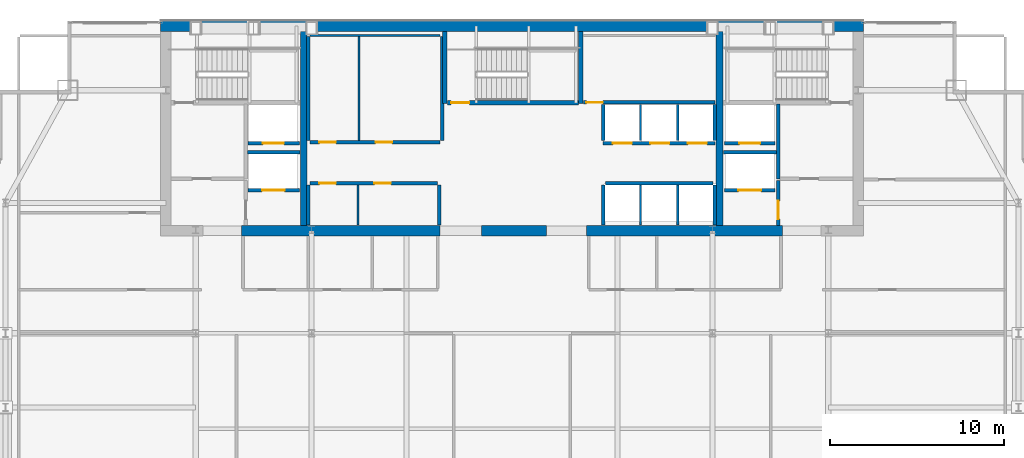
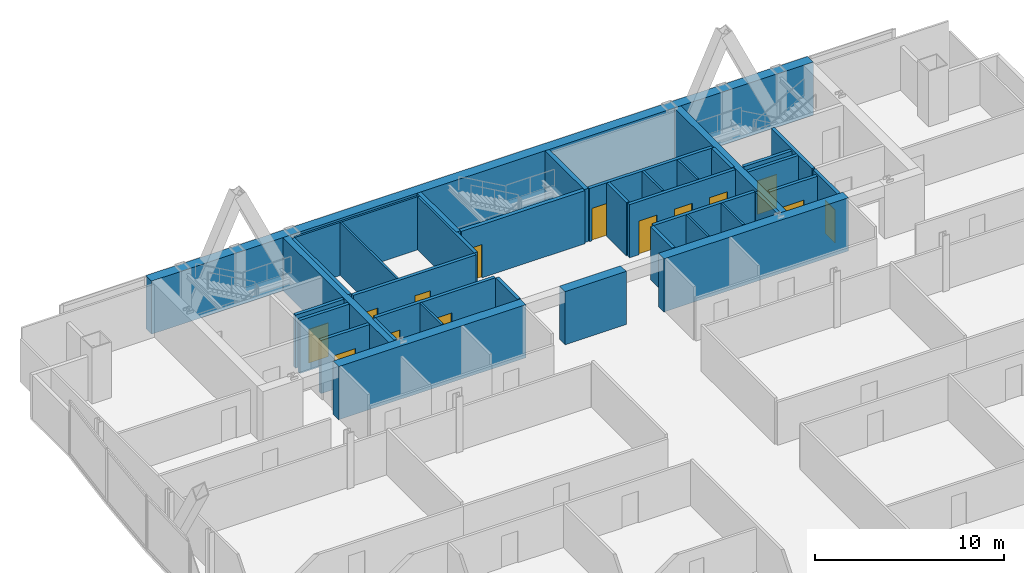
# One storey, part 29 of 32: 37 walls, 14 doors, 14 openings.
"""IFC4 building model written with IfcOpenShell, lengths in metres."""

import ifcopenshell
import ifcopenshell.guid

model = None  # the IFC model being written
_history = None  # IfcOwnerHistory: only IFC2X3 demands one
_inside = {}  # id of a spatial element -> (the spatial element, [elements in it])
_under = {}  # id of a project, library or spatial element -> (it, [spatial elements below it])
_declared = {}  # id of a project -> (the project, [libraries it declares])
_typed = {}  # id of a type object -> (the type object, [elements of that type])
_made_of = {}  # id of a material, layer set ... -> (it, [elements and type objects made of it])


def new_model(schema):
    """Start an empty IFC model of exactly this schema.

    Asked for "IFC4X3", IfcOpenShell would pick the latest addendum, in which some entities
    have other attributes; the version numbers below select the first issue.
    IFC2X3 requires an IfcOwnerHistory on every rooted entity: one is made here for all.
    """
    global model, _history
    if schema == "IFC4X3":
        model = ifcopenshell.file(schema_version=(4, 3, 0, 0))
    else:
        model = ifcopenshell.file(schema=schema)
    _inside.clear()
    _under.clear()
    _declared.clear()
    _typed.clear()
    _made_of.clear()
    _history = None
    if model.schema == "IFC2X3":
        org = make("IfcOrganization", Name="unknown")
        user = make(
            "IfcPersonAndOrganization",
            ThePerson=make("IfcPerson", FamilyName="unknown"),
            TheOrganization=org,
        )
        app = make(
            "IfcApplication",
            ApplicationDeveloper=org,
            Version="unknown",
            ApplicationFullName="unknown",
            ApplicationIdentifier="unknown",
        )
        _history = make(
            "IfcOwnerHistory",
            OwningUser=user,
            OwningApplication=app,
            ChangeAction="ADDED",
            CreationDate=0,
        )
    return model


def make(cls, **values):
    """One entity of the class cls with the attributes given. An attribute that is None is left unset."""
    return model.create_entity(
        cls, **{name: value for name, value in values.items() if value is not None}
    )


def rooted(cls, **values):
    """An entity with a GlobalId (a new one), such as an element, a storey or a relation."""
    return make(cls, GlobalId=ifcopenshell.guid.new(), OwnerHistory=_history, **values)


def si_unit(unit_type, name, prefix=None):
    """IfcSIUnit, for example si_unit("LENGTHUNIT", "METRE", prefix="MILLI")."""
    return make("IfcSIUnit", UnitType=unit_type, Prefix=prefix, Name=name)


def assignment(units):
    """IfcUnitAssignment: the units of a project."""
    return None if units is None else make("IfcUnitAssignment", Units=units)


def point(xyz):
    """IfcCartesianPoint."""
    return None if xyz is None else make("IfcCartesianPoint", Coordinates=xyz)


def direction(xyz):
    """IfcDirection."""
    return None if xyz is None else make("IfcDirection", DirectionRatios=xyz)


def frame(location, z_axis=None, x_axis=None):
    """IfcAxis2Placement3D, a coordinate frame: its origin and axes. An axis left out is left unset."""
    return make(
        "IfcAxis2Placement3D",
        Location=point(location),
        Axis=direction(z_axis),
        RefDirection=direction(x_axis),
    )


def frame_2d(location, x_axis=None):
    """IfcAxis2Placement2D, a coordinate frame in the plane: its origin and x axis."""
    return make(
        "IfcAxis2Placement2D", Location=point(location), RefDirection=direction(x_axis)
    )


def origin():
    """The frame at (0, 0, 0) with its axes left unset."""
    return frame((0.0, 0.0, 0.0))


def place(relative_to, where):
    """IfcLocalPlacement: puts the frame where relative to a parent placement (None: the world)."""
    return make(
        "IfcLocalPlacement", PlacementRelTo=relative_to, RelativePlacement=where
    )


def context(
    kind, dimensions, precision=None, world=None, true_north=None, identifier=None
):
    """IfcGeometricRepresentationContext, for example the 3D "Model" context."""
    return make(
        "IfcGeometricRepresentationContext",
        ContextIdentifier=identifier,
        ContextType=kind,
        CoordinateSpaceDimension=dimensions,
        Precision=precision,
        WorldCoordinateSystem=world,
        TrueNorth=true_north,
    )


def subcontext(parent, identifier, kind, view, scale=None):
    """IfcGeometricRepresentationSubContext, for example "Body" below "Model"."""
    return make(
        "IfcGeometricRepresentationSubContext",
        ContextIdentifier=identifier,
        ContextType=kind,
        ParentContext=parent,
        TargetScale=scale,
        TargetView=view,
    )


def project(units=None, contexts=None):
    """IfcProject with its units and contexts."""
    return rooted(
        "IfcProject",
        Name="project",
        RepresentationContexts=contexts,
        UnitsInContext=assignment(units),
    )


def spatial(cls, under=None, at=None, **own):
    """A site, building, storey or space (cls), placed at a placement, below another one or the project."""
    s = rooted(cls, ObjectPlacement=at, **own)
    if under is not None:
        _under.setdefault(under.id(), (under, []))[1].append(s)
    return s


def profile(cls, at=None, kind="AREA", **sizes):
    """A parametric profile (cls). Its sizes go by their IFC names, for example OverallWidth=200.0."""
    return make(cls, ProfileType=kind, Position=at, **sizes)


def rectangle(**sizes):
    """IfcRectangleProfileDef."""
    return profile("IfcRectangleProfileDef", **sizes)


def extrude(swept, where, along, depth):
    """IfcExtrudedAreaSolid: the profile swept, set in the frame where, extruded along a direction by depth."""
    return make(
        "IfcExtrudedAreaSolid",
        SweptArea=swept,
        Position=where,
        ExtrudedDirection=direction(along),
        Depth=depth,
    )


def shape(context_of_items, identifier, shape_type, items):
    """IfcShapeRepresentation: the items that make up one representation, for example the "Body"."""
    return make(
        "IfcShapeRepresentation",
        ContextOfItems=context_of_items,
        RepresentationIdentifier=identifier,
        RepresentationType=shape_type,
        Items=items,
    )


def material(Name=None, Category=None):
    """IfcMaterial."""
    return make("IfcMaterial", Name=Name, Category=Category)


def layer(
    of_material, thickness, ventilated=None, Name=None, Category=None, Priority=None
):
    """IfcMaterialLayer: one layer of a wall or slab, of a material (None: an air gap)."""
    return make(
        "IfcMaterialLayer",
        Material=of_material,
        LayerThickness=thickness,
        IsVentilated=ventilated,
        Name=Name,
        Category=Category,
        Priority=Priority,
    )


def layer_set(layers, Name=None):
    """IfcMaterialLayerSet."""
    return make("IfcMaterialLayerSet", MaterialLayers=layers, LayerSetName=Name)


def made_of(thing, what):
    """Note that an element or type object is made of a material, layer set ...; save() writes the relation."""
    if what is not None:
        _made_of.setdefault(what.id(), (what, []))[1].append(thing)
    return thing


def type_object(cls, material=None, **own):
    """A type object (cls), such as IfcWallType, which elements share."""
    return made_of(rooted(cls, **own), material)


def element(
    cls,
    number,
    at=None,
    inside=None,
    cuts=None,
    type_object=None,
    material=None,
    context=None,
    identifier="Body",
    shape_type=None,
    held_by="IfcProductDefinitionShape",
    body=None,
    shapes=None,
    **own,
):
    """One element of the class cls, such as IfcWall. Its Tag is "e" and its number.

    at: its placement. inside: the storey or other place that contains it. cuts: it is an
    opening in that element (IfcRelVoidsElement). A single representation is given by context,
    identifier, shape_type and body (its items); several are given by shapes. held_by: the class
    of the entity that holds the representations. save() writes the other relations.
    """
    e = rooted(cls, Tag="e%d" % number, ObjectPlacement=at, **own)
    if body is not None:
        shapes = [shape(context, identifier, shape_type, body)]
    if shapes is not None:
        e.Representation = make(held_by, Representations=shapes)
    if inside is not None:
        _inside.setdefault(inside.id(), (inside, []))[1].append(e)
    if cuts is not None:
        rooted(
            "IfcRelVoidsElement", RelatingBuildingElement=cuts, RelatedOpeningElement=e
        )
    if type_object is not None:
        _typed.setdefault(type_object.id(), (type_object, []))[1].append(e)
    return made_of(e, material)


def fill(opening, filler):
    """IfcRelFillsElement: the door or window that sits in an opening."""
    return rooted(
        "IfcRelFillsElement",
        RelatingOpeningElement=opening,
        RelatedBuildingElement=filler,
    )


def aggregate(whole, parts):
    """IfcRelAggregates: a whole, such as a stair, and the parts it consists of."""
    return rooted("IfcRelAggregates", RelatingObject=whole, RelatedObjects=parts)


def save(model, path):
    """Write the relations noted so far, then the file.

    IfcRelAggregates (storeys below a building ...), IfcRelContainedInSpatialStructure (elements
    in a storey), IfcRelDefinesByType, IfcRelAssociatesMaterial and IfcRelDeclares: one each for
    every whole, place, type object, material and project.
    """
    for whole, parts in _under.values():
        aggregate(whole, parts)
    for where, things in _inside.values():
        rooted(
            "IfcRelContainedInSpatialStructure",
            RelatedElements=things,
            RelatingStructure=where,
        )
    for kind, things in _typed.values():
        rooted("IfcRelDefinesByType", RelatedObjects=things, RelatingType=kind)
    for what, things in _made_of.values():
        rooted("IfcRelAssociatesMaterial", RelatedObjects=things, RelatingMaterial=what)
    for by, libraries in _declared.values():
        rooted("IfcRelDeclares", RelatingContext=by, RelatedDefinitions=libraries)
    model.write(path)


model = new_model("IFC4")

# Units and contexts
model_context = context("Model", 3, precision=1e-05, world=origin(), true_north=direction((0.0, 1.0)))
body_context = subcontext(model_context, "Body", "Model", "MODEL_VIEW")
ifc_project = project(units=[si_unit("LENGTHUNIT", "METRE"), si_unit("AREAUNIT", "SQUARE_METRE"), si_unit("VOLUMEUNIT", "CUBIC_METRE"), si_unit("PLANEANGLEUNIT", "RADIAN"), si_unit("MASSUNIT", "GRAM", prefix="KILO")], contexts=[model_context])

# Site, building, storey
site_placement = place(None, origin())
site = spatial("IfcSite", under=ifc_project, at=site_placement, CompositionType="ELEMENT")
building_placement = place(site_placement, origin())
building = spatial("IfcBuilding", under=site, at=building_placement, Name="Khoronbel Lancet Exchange", CompositionType="ELEMENT")
storey_placement = place(building_placement, frame((0.0, 0.0, 231.800048828125)))
storey = spatial("IfcBuildingStorey", under=building, at=storey_placement, Name="L59", CompositionType="ELEMENT", Elevation=231.800048828125)

# Walls
ifc_material_1 = material(Name="Concrete C60/75", Category="concrete")
ifc_layer_1 = layer(ifc_material_1, 0.60009765625, Name="Concrete C60/75")
ifc_layer_set_1 = layer_set([ifc_layer_1], Name="Concrete C60/75")
wall_type_1 = type_object("IfcWallType", Name="WL-CW3", PredefinedType="SHEAR", material=ifc_layer_set_1)
wall_1_placement = place(storey_placement, frame((16.199951171875, 53.39990234375, 0.0), z_axis=(0.0, 0.0, 1.0), x_axis=(1.0, 0.0, 0.0)))
element("IfcWall", 1, at=wall_1_placement, inside=storey, type_object=wall_type_1, Name="Level L59 rear core north shear wall", PredefinedType="SHEAR", context=body_context, shape_type="SweptSolid", body=[
    extrude(rectangle(XDim=40.5, YDim=0.60009765625, at=frame_2d((20.25, 0.0))), origin(), (0.0, 0.0, 1.0), 3.43994140625),
])
wall_2_placement = place(storey_placement, frame((32.300048828125, 41.60009765625, 0.0), z_axis=(0.0, 0.0, 1.0), x_axis=(-1.0, 0.0, 0.0)))
element("IfcWall", 2, at=wall_2_placement, inside=storey, type_object=wall_type_1, Name="Level L59 rear core south shear wall pier P2", PredefinedType="SHEAR", context=body_context, shape_type="SweptSolid", body=[
    extrude(rectangle(XDim=11.449951171875, YDim=0.60009765625, at=frame_2d((5.72509765625, 0.0))), origin(), (0.0, 0.0, 1.0), 3.43994140625),
])
wall_3_placement = place(storey_placement, frame((38.449951171875, 41.60009765625, 0.0), z_axis=(0.0, 0.0, 1.0), x_axis=(-1.0, 0.0, 0.0)))
element("IfcWall", 3, at=wall_3_placement, inside=storey, type_object=wall_type_1, Name="Level L59 rear core south shear wall pier P3", PredefinedType="SHEAR", context=body_context, shape_type="SweptSolid", body=[
    extrude(rectangle(XDim=3.75, YDim=0.60009765625, at=frame_2d((1.875, 0.0))), origin(), (0.0, 0.0, 1.0), 3.43994140625),
])
wall_4_placement = place(storey_placement, frame((52.050048828125, 41.60009765625, 0.0), z_axis=(0.0, 0.0, 1.0), x_axis=(-1.0, 0.0, 0.0)))
element("IfcWall", 4, at=wall_4_placement, inside=storey, type_object=wall_type_1, Name="Level L59 rear core south shear wall pier P4", PredefinedType="SHEAR", context=body_context, shape_type="SweptSolid", body=[
    extrude(rectangle(XDim=11.300048828125, YDim=0.60009765625, at=frame_2d((5.64990234375, 0.0))), origin(), (0.0, 0.0, 1.0), 3.43994140625),
])
ifc_material_2 = material(Name="Fire-Rated Metal-Stud & Mineral-Wool Gypsum Partition 120 mm", Category="gypsum")
ifc_layer_2 = layer(ifc_material_2, 0.1201171875, Name="Fire-Rated Metal-Stud & Mineral-Wool Gypsum Partition 120 mm")
ifc_layer_set_2 = layer_set([ifc_layer_2], Name="Fire-Rated Metal-Stud & Mineral-Wool Gypsum Partition 120 mm")
wall_type_2 = type_object("IfcWallType", Name="WL-PRT120F", PredefinedType="PARTITIONING", material=ifc_layer_set_2)
wall_5_placement = place(storey_placement, frame((24.804931640625, 52.860107421875, 0.0), z_axis=(0.0, 0.0, 1.0), x_axis=(1.0, 0.0, 0.0)))
element("IfcWall", 5, at=wall_5_placement, inside=storey, type_object=wall_type_2, Name="Level L59 interior partition CW-PL-RN", PredefinedType="PARTITIONING", context=body_context, shape_type="SweptSolid", body=[
    extrude(rectangle(XDim=7.510009765625, YDim=0.1201171875, at=frame_2d((3.7548828125, 0.0))), origin(), (0.0, 0.0, 1.0), 3.43994140625),
])
wall_6_placement = place(storey_placement, frame((27.633544921875, 46.804931640625, 0.0), z_axis=(0.0, 0.0, 1.0), x_axis=(0.0, 1.0, 0.0)))
element("IfcWall", 6, at=wall_6_placement, inside=storey, type_object=wall_type_2, Name="Level L59 interior partition CW-PL-RS1", PredefinedType="PARTITIONING", context=body_context, shape_type="SweptSolid", body=[
    extrude(rectangle(XDim=5.989990234375, YDim=0.1201171875, at=frame_2d((2.9951171875, 0.0))), origin(), (0.0, 0.0, 1.0), 3.43994140625),
])
wall_7_placement = place(storey_placement, frame((27.569091796875, 41.949951171875, 0.0), z_axis=(0.0, 0.0, 1.0), x_axis=(0.0, 1.0, 0.0)))
element("IfcWall", 7, at=wall_7_placement, inside=storey, type_object=wall_type_2, Name="Level L59 interior partition CW-PM-RS1", PredefinedType="PARTITIONING", context=body_context, shape_type="SweptSolid", body=[
    extrude(rectangle(XDim=2.295166015625, YDim=0.1201171875, at=frame_2d((1.1474609375, 0.0))), origin(), (0.0, 0.0, 1.0), 3.43994140625),
])
for number, where, z_axis, x_axis, name in (
    (8, (43.860107421875, 46.800048828125, 0.0), (0.0, 0.0, 1.0), (0.0, 1.0, 0.0), "Level L59 interior partition CW-PH-D1"),
    (9, (46.0, 46.800048828125, 0.0), (0.0, 0.0, 1.0), (0.0, 1.0, 0.0), "Level L59 interior partition CW-PH-D2"),
):
    element("IfcWall", number, at=place(storey_placement, frame(where, z_axis=z_axis, x_axis=x_axis)), inside=storey, type_object=wall_type_2, Name=name, PredefinedType="PARTITIONING", context=body_context, shape_type="SweptSolid", body=[
        extrude(rectangle(XDim=2.094970703125, YDim=0.1201171875, at=frame_2d((1.04736328125, 0.0))), origin(), (0.0, 0.0, 1.0), 3.43994140625),
    ])
for number, where, z_axis, x_axis, name in (
    (10, (43.860107421875, 41.949951171875, 0.0), (0.0, 0.0, 1.0), (0.0, 1.0, 0.0), "Level L59 interior partition CW-PX-D1"),
    (11, (46.0, 41.949951171875, 0.0), (0.0, 0.0, 1.0), (0.0, 1.0, 0.0), "Level L59 interior partition CW-PX-D2"),
):
    element("IfcWall", number, at=place(storey_placement, frame(where, z_axis=z_axis, x_axis=x_axis)), inside=storey, type_object=wall_type_2, Name=name, PredefinedType="PARTITIONING", context=body_context, shape_type="SweptSolid", body=[
        extrude(rectangle(XDim=2.295166015625, YDim=0.1201171875, at=frame_2d((1.1474609375, 0.0))), origin(), (0.0, 0.0, 1.0), 3.43994140625),
    ])

# Wall, opening, door
ifc_material_3 = material(Name="Autoclaved Aerated Concrete Blockwork 200 mm", Category="masonry")
ifc_layer_3 = layer(ifc_material_3, 0.199951171875, Name="Autoclaved Aerated Concrete Blockwork 200 mm")
ifc_layer_set_3 = layer_set([ifc_layer_3], Name="Autoclaved Aerated Concrete Blockwork 200 mm")
wall_type_3 = type_object("IfcWallType", Name="WL-PRT200", PredefinedType="PARTITIONING", material=ifc_layer_set_3)
wall_8_placement = place(storey_placement, frame((51.610107421875, 43.949951171875, 0.0), z_axis=(0.0, 0.0, 1.0), x_axis=(-1.0, 0.0, 0.0)))
wall_8 = element("IfcWall", 12, at=wall_8_placement, inside=storey, type_object=wall_type_3, Name="Level L59 elevator hoistway landing front wall SVLE", PredefinedType="PARTITIONING", context=body_context, shape_type="SweptSolid", body=[
    extrude(rectangle(XDim=2.920166015625, YDim=0.199951171875, at=frame_2d((1.4599609375, 0.0))), origin(), (0.0, 0.0, 1.0), 3.43994140625),
])
opening_1_placement = place(wall_8_placement, frame((0.81005859375, 0.0, 0.0)))
opening_1 = element("IfcOpeningElement", 13, at=opening_1_placement, cuts=wall_8, Name="Opening LD-SVL2", PredefinedType="OPENING", context=body_context, shape_type="SweptSolid", body=[
    extrude(rectangle(XDim=1.300048828125, YDim=2.179931640625, at=frame_2d((0.64990234375, 1.08984375))), frame((0.0, 0.10986328125, 0.0), z_axis=(0.0, -1.0, 0.0), x_axis=(1.0, 0.0, 0.0)), (0.0, 0.0, 1.0), 0.219970703125),
])
ifc_material_4 = material(Name="Heavy-Duty Bi-Parting Goods Lift Landing Door", Category="steel")
door_type_1 = type_object("IfcDoorType", Name="DR-LD-SVL", OperationType="NOTDEFINED", PredefinedType="DOOR", material=ifc_material_4)
door_1_placement = place(opening_1_placement, origin())
door_1 = element("IfcDoor", 14, at=door_1_placement, inside=storey, type_object=door_type_1, Name="Elevator landing sliding door LD-SVL2 L59", OperationType="SLIDING_TO_LEFT", OverallHeight=2.179931640625, OverallWidth=1.300048828125, PredefinedType="DOOR", context=body_context, shape_type="SweptSolid", body=[
    extrude(rectangle(XDim=1.300048828125, YDim=2.179931640625, at=frame_2d((0.64990234375, 1.08984375))), frame((0.0, 0.02490234375, 0.0), z_axis=(0.0, -1.0, 0.0), x_axis=(1.0, 0.0, 0.0)), (0.0, 0.0, 1.0), 0.050048828125),
])
fill(opening_1, door_1)

wall_9_placement = place(storey_placement, frame((24.2099609375, 43.949951171875, 0.0), z_axis=(0.0, 0.0, 1.0), x_axis=(-1.0, 0.0, 0.0)))
wall_9 = element("IfcWall", 15, at=wall_9_placement, inside=storey, type_object=wall_type_3, Name="Level L59 elevator hoistway landing front wall SVLW", PredefinedType="PARTITIONING", context=body_context, shape_type="SweptSolid", body=[
    extrude(rectangle(XDim=2.969970703125, YDim=0.199951171875, at=frame_2d((1.48486328125, 0.0))), origin(), (0.0, 0.0, 1.0), 3.43994140625),
])
opening_2_placement = place(wall_9_placement, frame((0.860107421875, 0.0, 0.0)))
opening_2 = element("IfcOpeningElement", 16, at=opening_2_placement, cuts=wall_9, Name="Opening LD-SVL1", PredefinedType="OPENING", context=body_context, shape_type="SweptSolid", body=[
    extrude(rectangle(XDim=1.300048828125, YDim=2.179931640625, at=frame_2d((0.64990234375, 1.08984375))), frame((0.0, 0.10986328125, 0.0), z_axis=(0.0, -1.0, 0.0), x_axis=(1.0, 0.0, 0.0)), (0.0, 0.0, 1.0), 0.219970703125),
])
door_2_placement = place(opening_2_placement, origin())
door_2 = element("IfcDoor", 17, at=door_2_placement, inside=storey, type_object=door_type_1, Name="Elevator landing sliding door LD-SVL1 L59", OperationType="SLIDING_TO_LEFT", OverallHeight=2.179931640625, OverallWidth=1.300048828125, PredefinedType="DOOR", context=body_context, shape_type="SweptSolid", body=[
    extrude(rectangle(XDim=1.300048828125, YDim=2.179931640625, at=frame_2d((0.64990234375, 1.08984375))), frame((0.0, 0.02490234375, 0.0), z_axis=(0.0, -1.0, 0.0), x_axis=(1.0, 0.0, 0.0)), (0.0, 0.0, 1.0), 0.050048828125),
])
fill(opening_2, door_2)

wall_10_placement = place(storey_placement, frame((51.610107421875, 46.64990234375, 0.0), z_axis=(0.0, 0.0, 1.0), x_axis=(-1.0, 0.0, 0.0)))
wall_10 = element("IfcWall", 18, at=wall_10_placement, inside=storey, type_object=wall_type_3, Name="Level L59 elevator hoistway landing front wall FFLE", PredefinedType="PARTITIONING", context=body_context, shape_type="SweptSolid", body=[
    extrude(rectangle(XDim=2.920166015625, YDim=0.199951171875, at=frame_2d((1.4599609375, 0.0))), origin(), (0.0, 0.0, 1.0), 3.43994140625),
])
opening_3_placement = place(wall_10_placement, frame((0.860107421875, 0.0, 0.0)))
opening_3 = element("IfcOpeningElement", 19, at=opening_3_placement, cuts=wall_10, Name="Opening LD-FFL2", PredefinedType="OPENING", context=body_context, shape_type="SweptSolid", body=[
    extrude(rectangle(XDim=1.199951171875, YDim=2.179931640625, at=frame_2d((0.60009765625, 1.08984375))), frame((0.0, 0.10986328125, 0.0), z_axis=(0.0, -1.0, 0.0), x_axis=(1.0, 0.0, 0.0)), (0.0, 0.0, 1.0), 0.219970703125),
])
ifc_material_5 = material(Name="Fire-Rated Stainless Bi-Parting Firefighting Lift Door", Category="steel")
door_type_2 = type_object("IfcDoorType", Name="DR-LD-FFL", OperationType="NOTDEFINED", PredefinedType="DOOR", material=ifc_material_5)
door_3_placement = place(opening_3_placement, origin())
door_3 = element("IfcDoor", 20, at=door_3_placement, inside=storey, type_object=door_type_2, Name="Elevator landing sliding door LD-FFL2 L59", OperationType="SLIDING_TO_LEFT", OverallHeight=2.179931640625, OverallWidth=1.199951171875, PredefinedType="DOOR", context=body_context, shape_type="SweptSolid", body=[
    extrude(rectangle(XDim=1.199951171875, YDim=2.179931640625, at=frame_2d((0.60009765625, 1.08984375))), frame((0.0, 0.02490234375, 0.0), z_axis=(0.0, -1.0, 0.0), x_axis=(1.0, 0.0, 0.0)), (0.0, 0.0, 1.0), 0.050048828125),
])
fill(opening_3, door_3)

wall_11_placement = place(storey_placement, frame((24.2099609375, 46.64990234375, 0.0), z_axis=(0.0, 0.0, 1.0), x_axis=(-1.0, 0.0, 0.0)))
wall_11 = element("IfcWall", 21, at=wall_11_placement, inside=storey, type_object=wall_type_3, Name="Level L59 elevator hoistway landing front wall FFLW", PredefinedType="PARTITIONING", context=body_context, shape_type="SweptSolid", body=[
    extrude(rectangle(XDim=2.969970703125, YDim=0.199951171875, at=frame_2d((1.48486328125, 0.0))), origin(), (0.0, 0.0, 1.0), 3.43994140625),
])
opening_4_placement = place(wall_11_placement, frame((0.909912109375, 0.0, 0.0)))
opening_4 = element("IfcOpeningElement", 22, at=opening_4_placement, cuts=wall_11, Name="Opening LD-FFL1", PredefinedType="OPENING", context=body_context, shape_type="SweptSolid", body=[
    extrude(rectangle(XDim=1.199951171875, YDim=2.179931640625, at=frame_2d((0.60009765625, 1.08984375))), frame((0.0, 0.10986328125, 0.0), z_axis=(0.0, -1.0, 0.0), x_axis=(1.0, 0.0, 0.0)), (0.0, 0.0, 1.0), 0.219970703125),
])
door_4_placement = place(opening_4_placement, origin())
door_4 = element("IfcDoor", 23, at=door_4_placement, inside=storey, type_object=door_type_2, Name="Elevator landing sliding door LD-FFL1 L59", OperationType="SLIDING_TO_LEFT", OverallHeight=2.179931640625, OverallWidth=1.199951171875, PredefinedType="DOOR", context=body_context, shape_type="SweptSolid", body=[
    extrude(rectangle(XDim=1.199951171875, YDim=2.179931640625, at=frame_2d((0.60009765625, 1.08984375))), frame((0.0, 0.02490234375, 0.0), z_axis=(0.0, -1.0, 0.0), x_axis=(1.0, 0.0, 0.0)), (0.0, 0.0, 1.0), 0.050048828125),
])
fill(opening_4, door_4)

# Wall, openings, doors
wall_12_placement = place(storey_placement, frame((48.159912109375, 46.64990234375, 0.0), z_axis=(0.0, 0.0, 1.0), x_axis=(-1.0, 0.0, 0.0)))
wall_12 = element("IfcWall", 24, at=wall_12_placement, inside=storey, type_object=wall_type_3, Name="Level L59 elevator hoistway landing front wall PHE", PredefinedType="PARTITIONING", context=body_context, shape_type="SweptSolid", body=[
    extrude(rectangle(XDim=6.47998046875, YDim=0.199951171875, at=frame_2d((3.239990234375, 0.0))), origin(), (0.0, 0.0, 1.0), 3.43994140625),
])
opening_5_placement = place(wall_12_placement, frame((4.800048828125, 0.0, 0.0)))
opening_5 = element("IfcOpeningElement", 25, at=opening_5_placement, cuts=wall_12, Name="Opening LD-PH1", PredefinedType="OPENING", context=body_context, shape_type="SweptSolid", body=[
    extrude(rectangle(XDim=1.10009765625, YDim=2.179931640625, at=frame_2d((0.550048828125, 1.08984375))), frame((0.0, 0.10986328125, 0.0), z_axis=(0.0, -1.0, 0.0), x_axis=(1.0, 0.0, 0.0)), (0.0, 0.0, 1.0), 0.219970703125),
])
opening_6_placement = place(wall_12_placement, frame((2.639892578125, 0.0, 0.0)))
opening_6 = element("IfcOpeningElement", 26, at=opening_6_placement, cuts=wall_12, Name="Opening LD-PH2", PredefinedType="OPENING", context=body_context, shape_type="SweptSolid", body=[
    extrude(rectangle(XDim=1.10009765625, YDim=2.179931640625, at=frame_2d((0.550048828125, 1.08984375))), frame((0.0, 0.10986328125, 0.0), z_axis=(0.0, -1.0, 0.0), x_axis=(1.0, 0.0, 0.0)), (0.0, 0.0, 1.0), 0.219970703125),
])
opening_7_placement = place(wall_12_placement, frame((0.47998046875, 0.0, 0.0)))
opening_7 = element("IfcOpeningElement", 27, at=opening_7_placement, cuts=wall_12, Name="Opening LD-PH3", PredefinedType="OPENING", context=body_context, shape_type="SweptSolid", body=[
    extrude(rectangle(XDim=1.10009765625, YDim=2.179931640625, at=frame_2d((0.550048828125, 1.08984375))), frame((0.0, 0.10986328125, 0.0), z_axis=(0.0, -1.0, 0.0), x_axis=(1.0, 0.0, 0.0)), (0.0, 0.0, 1.0), 0.219970703125),
])
ifc_material_6 = material(Name="Brushed Bronze Bi-Parting Elevator Landing Door", Category="steel")
door_type_3 = type_object("IfcDoorType", Name="DR-LD-PAX", OperationType="NOTDEFINED", PredefinedType="DOOR", material=ifc_material_6)
door_5_placement = place(opening_5_placement, origin())
door_5 = element("IfcDoor", 28, at=door_5_placement, inside=storey, type_object=door_type_3, Name="Elevator landing sliding door LD-PH1 L59", OperationType="SLIDING_TO_LEFT", OverallHeight=2.179931640625, OverallWidth=1.10009765625, PredefinedType="DOOR", context=body_context, shape_type="SweptSolid", body=[
    extrude(rectangle(XDim=1.10009765625, YDim=2.179931640625, at=frame_2d((0.550048828125, 1.08984375))), frame((0.0, 0.02490234375, 0.0), z_axis=(0.0, -1.0, 0.0), x_axis=(1.0, 0.0, 0.0)), (0.0, 0.0, 1.0), 0.050048828125),
])
fill(opening_5, door_5)
door_6_placement = place(opening_6_placement, origin())
door_6 = element("IfcDoor", 29, at=door_6_placement, inside=storey, type_object=door_type_3, Name="Elevator landing sliding door LD-PH2 L59", OperationType="SLIDING_TO_LEFT", OverallHeight=2.179931640625, OverallWidth=1.10009765625, PredefinedType="DOOR", context=body_context, shape_type="SweptSolid", body=[
    extrude(rectangle(XDim=1.10009765625, YDim=2.179931640625, at=frame_2d((0.550048828125, 1.08984375))), frame((0.0, 0.02490234375, 0.0), z_axis=(0.0, -1.0, 0.0), x_axis=(1.0, 0.0, 0.0)), (0.0, 0.0, 1.0), 0.050048828125),
])
fill(opening_6, door_6)
door_7_placement = place(opening_7_placement, origin())
door_7 = element("IfcDoor", 30, at=door_7_placement, inside=storey, type_object=door_type_3, Name="Elevator landing sliding door LD-PH3 L59", OperationType="SLIDING_TO_LEFT", OverallHeight=2.179931640625, OverallWidth=1.10009765625, PredefinedType="DOOR", context=body_context, shape_type="SweptSolid", body=[
    extrude(rectangle(XDim=1.10009765625, YDim=2.179931640625, at=frame_2d((0.550048828125, 1.08984375))), frame((0.0, 0.02490234375, 0.0), z_axis=(0.0, -1.0, 0.0), x_axis=(1.0, 0.0, 0.0)), (0.0, 0.0, 1.0), 0.050048828125),
])
fill(opening_7, door_7)

# Walls
wall_13_placement = place(storey_placement, frame((21.199951171875, 46.1201171875, 0.0), z_axis=(0.0, 0.0, 1.0), x_axis=(1.0, 0.0, 0.0)))
element("IfcWall", 31, at=wall_13_placement, inside=storey, type_object=wall_type_3, Name="Level L59 interior partition CW-FFL1-S", PredefinedType="PARTITIONING", context=body_context, shape_type="SweptSolid", body=[
    extrude(rectangle(XDim=3.02001953125, YDim=0.199951171875, at=frame_2d((1.510009765625, 0.0))), origin(), (0.0, 0.0, 1.0), 3.43994140625),
])
wall_14_placement = place(storey_placement, frame((51.800048828125, 44.60009765625, 0.0), z_axis=(0.0, 0.0, 1.0), x_axis=(0.0, 1.0, 0.0)))
element("IfcWall", 32, at=wall_14_placement, inside=storey, type_object=wall_type_3, Name="Level L59 interior partition CW-FFLE-W", PredefinedType="PARTITIONING", context=body_context, shape_type="SweptSolid", body=[
    extrude(rectangle(XDim=4.2998046875, YDim=0.199951171875, at=frame_2d((2.14990234375, 0.0))), origin(), (0.0, 0.0, 1.0), 3.43994140625),
])
wall_15_placement = place(storey_placement, frame((48.6298828125, 46.1201171875, 0.0), z_axis=(0.0, 0.0, 1.0), x_axis=(1.0, 0.0, 0.0)))
element("IfcWall", 33, at=wall_15_placement, inside=storey, type_object=wall_type_3, Name="Level L59 interior partition CW-FFL2-S", PredefinedType="PARTITIONING", context=body_context, shape_type="SweptSolid", body=[
    extrude(rectangle(XDim=3.070068359375, YDim=0.199951171875, at=frame_2d((1.53515625, 0.0))), origin(), (0.0, 0.0, 1.0), 3.43994140625),
])

# Wall, opening, door
wall_16_placement = place(storey_placement, frame((51.800048828125, 41.89990234375, 0.0), z_axis=(0.0, 0.0, 1.0), x_axis=(0.0, 1.0, 0.0)))
wall_16 = element("IfcWall", 34, at=wall_16_placement, inside=storey, type_object=wall_type_3, Name="Level L59 interior partition CW-SVLE-E", PredefinedType="PARTITIONING", context=body_context, shape_type="SweptSolid", body=[
    extrude(rectangle(XDim=2.59521484375, YDim=0.199951171875, at=frame_2d((1.297607421875, 0.0))), origin(), (0.0, 0.0, 1.0), 3.43994140625),
])
opening_8_placement = place(wall_16_placement, frame((0.3798828125, 0.0, 0.0)))
opening_8 = element("IfcOpeningElement", 35, at=opening_8_placement, cuts=wall_16, Name="Opening FD1", PredefinedType="OPENING", context=body_context, shape_type="SweptSolid", body=[
    extrude(rectangle(XDim=1.050048828125, YDim=2.14990234375, at=frame_2d((0.52490234375, 1.074951171875))), frame((0.0, 0.10986328125, 0.0), z_axis=(0.0, -1.0, 0.0), x_axis=(1.0, 0.0, 0.0)), (0.0, 0.0, 1.0), 0.219970703125),
])
ifc_material_7 = material(Name="Fire-Rated Painted Steel Door Assembly", Category="steel")
door_type_4 = type_object("IfcDoorType", Name="DR-FD1", OperationType="NOTDEFINED", PredefinedType="DOOR", material=ifc_material_7)
door_8_placement = place(opening_8_placement, origin())
door_8 = element("IfcDoor", 36, at=door_8_placement, inside=storey, type_object=door_type_4, Name="East service lift lobby door L59-1", OperationType="SINGLE_SWING_LEFT", OverallHeight=2.14990234375, OverallWidth=1.050048828125, PredefinedType="DOOR", context=body_context, shape_type="SweptSolid", body=[
    extrude(rectangle(XDim=1.050048828125, YDim=2.14990234375, at=frame_2d((0.52490234375, 1.074951171875))), frame((0.0, 0.02490234375, 0.0), z_axis=(0.0, -1.0, 0.0), x_axis=(1.0, 0.0, 0.0)), (0.0, 0.0, 1.0), 0.050048828125),
])
fill(opening_8, door_8)

# Walls
for number, where, z_axis, x_axis, name in (
    (37, (24.699951171875, 46.804931640625, 0.0), (0.0, 0.0, 1.0), (0.0, 1.0, 0.0), "Level L59 interior partition CW-PL-RW"),
    (38, (32.419921875, 46.804931640625, 0.0), (0.0, 0.0, 1.0), (0.0, 1.0, 0.0), "Level L59 interior partition CW-PL-RE"),
):
    element("IfcWall", number, at=place(storey_placement, frame(where, z_axis=z_axis, x_axis=x_axis)), inside=storey, type_object=wall_type_3, Name=name, PredefinedType="PARTITIONING", context=body_context, shape_type="SweptSolid", body=[
        extrude(rectangle(XDim=5.989990234375, YDim=0.199951171875, at=frame_2d((2.9951171875, 0.0))), origin(), (0.0, 0.0, 1.0), 3.43994140625),
    ])

# Wall, openings, doors
wall_17_placement = place(storey_placement, frame((24.804931640625, 46.699951171875, 0.0), z_axis=(0.0, 0.0, 1.0), x_axis=(1.0, 0.0, 0.0)))
wall_17 = element("IfcWall", 39, at=wall_17_placement, inside=storey, type_object=wall_type_3, Name="Level L59 interior partition CW-PL-RF", PredefinedType="PARTITIONING", context=body_context, shape_type="SweptSolid", body=[
    extrude(rectangle(XDim=7.510009765625, YDim=0.199951171875, at=frame_2d((3.7548828125, 0.0))), origin(), (0.0, 0.0, 1.0), 3.43994140625),
])
opening_9_placement = place(wall_17_placement, frame((0.550048828125, 0.0, 0.0)))
opening_9 = element("IfcOpeningElement", 40, at=opening_9_placement, cuts=wall_17, Name="Opening FD3", PredefinedType="OPENING", context=body_context, shape_type="SweptSolid", body=[
    extrude(rectangle(XDim=0.949951171875, YDim=2.10009765625, at=frame_2d((0.47509765625, 1.050048828125))), frame((0.0, 0.10986328125, 0.0), z_axis=(0.0, -1.0, 0.0), x_axis=(1.0, 0.0, 0.0)), (0.0, 0.0, 1.0), 0.219970703125),
])
opening_10_placement = place(wall_17_placement, frame((3.78369140625, 0.0, 0.0)))
opening_10 = element("IfcOpeningElement", 41, at=opening_10_placement, cuts=wall_17, Name="Opening FD3", PredefinedType="OPENING", context=body_context, shape_type="SweptSolid", body=[
    extrude(rectangle(XDim=0.949951171875, YDim=2.10009765625, at=frame_2d((0.47509765625, 1.050048828125))), frame((0.0, 0.10986328125, 0.0), z_axis=(0.0, -1.0, 0.0), x_axis=(1.0, 0.0, 0.0)), (0.0, 0.0, 1.0), 0.219970703125),
])
ifc_material_8 = material(Name="Fire-Rated Steel Plant & Riser Door Assembly", Category="steel")
door_type_5 = type_object("IfcDoorType", Name="DR-FD3", OperationType="NOTDEFINED", PredefinedType="DOOR", material=ifc_material_8)
door_9_placement = place(opening_9_placement, origin())
door_9 = element("IfcDoor", 42, at=door_9_placement, inside=storey, type_object=door_type_5, Name="Reclaimed PL A door L59-1", OperationType="SINGLE_SWING_RIGHT", OverallHeight=2.10009765625, OverallWidth=0.949951171875, PredefinedType="DOOR", context=body_context, shape_type="SweptSolid", body=[
    extrude(rectangle(XDim=0.949951171875, YDim=2.10009765625, at=frame_2d((0.47509765625, 1.050048828125))), frame((0.0, 0.02490234375, 0.0), z_axis=(0.0, -1.0, 0.0), x_axis=(1.0, 0.0, 0.0)), (0.0, 0.0, 1.0), 0.050048828125),
])
fill(opening_9, door_9)
door_10_placement = place(opening_10_placement, origin())
door_10 = element("IfcDoor", 43, at=door_10_placement, inside=storey, type_object=door_type_5, Name="Reclaimed PL B door L59-2", OperationType="SINGLE_SWING_LEFT", OverallHeight=2.10009765625, OverallWidth=0.949951171875, PredefinedType="DOOR", context=body_context, shape_type="SweptSolid", body=[
    extrude(rectangle(XDim=0.949951171875, YDim=2.10009765625, at=frame_2d((0.47509765625, 1.050048828125))), frame((0.0, 0.02490234375, 0.0), z_axis=(0.0, -1.0, 0.0), x_axis=(1.0, 0.0, 0.0)), (0.0, 0.0, 1.0), 0.050048828125),
])
fill(opening_10, door_10)

# Walls
for number, where, z_axis, x_axis, name in (
    (44, (24.699951171875, 41.949951171875, 0.0), (0.0, 0.0, 1.0), (0.0, 1.0, 0.0), "Level L59 interior partition CW-PM-RW"),
    (45, (32.25, 41.949951171875, 0.0), (0.0, 0.0, 1.0), (0.0, 1.0, 0.0), "Level L59 interior partition CW-PM-RE"),
):
    element("IfcWall", number, at=place(storey_placement, frame(where, z_axis=z_axis, x_axis=x_axis)), inside=storey, type_object=wall_type_3, Name=name, PredefinedType="PARTITIONING", context=body_context, shape_type="SweptSolid", body=[
        extrude(rectangle(XDim=2.295166015625, YDim=0.199951171875, at=frame_2d((1.1474609375, 0.0))), origin(), (0.0, 0.0, 1.0), 3.43994140625),
    ])

# Wall, openings, doors
wall_18_placement = place(storey_placement, frame((24.804931640625, 44.35009765625, 0.0), z_axis=(0.0, 0.0, 1.0), x_axis=(1.0, 0.0, 0.0)))
wall_18 = element("IfcWall", 46, at=wall_18_placement, inside=storey, type_object=wall_type_3, Name="Level L59 interior partition CW-PM-RF", PredefinedType="PARTITIONING", context=body_context, shape_type="SweptSolid", body=[
    extrude(rectangle(XDim=7.340087890625, YDim=0.199951171875, at=frame_2d((3.669921875, 0.0))), origin(), (0.0, 0.0, 1.0), 3.43994140625),
])
opening_11_placement = place(wall_18_placement, frame((0.550048828125, 0.0, 0.0)))
opening_11 = element("IfcOpeningElement", 47, at=opening_11_placement, cuts=wall_18, Name="Opening FD3", PredefinedType="OPENING", context=body_context, shape_type="SweptSolid", body=[
    extrude(rectangle(XDim=0.949951171875, YDim=2.10009765625, at=frame_2d((0.47509765625, 1.050048828125))), frame((0.0, 0.10986328125, 0.0), z_axis=(0.0, -1.0, 0.0), x_axis=(1.0, 0.0, 0.0)), (0.0, 0.0, 1.0), 0.219970703125),
])
opening_12_placement = place(wall_18_placement, frame((3.718994140625, 0.0, 0.0)))
opening_12 = element("IfcOpeningElement", 48, at=opening_12_placement, cuts=wall_18, Name="Opening FD3", PredefinedType="OPENING", context=body_context, shape_type="SweptSolid", body=[
    extrude(rectangle(XDim=0.949951171875, YDim=2.10009765625, at=frame_2d((0.47509765625, 1.050048828125))), frame((0.0, 0.10986328125, 0.0), z_axis=(0.0, -1.0, 0.0), x_axis=(1.0, 0.0, 0.0)), (0.0, 0.0, 1.0), 0.219970703125),
])
door_11_placement = place(opening_11_placement, origin())
door_11 = element("IfcDoor", 49, at=door_11_placement, inside=storey, type_object=door_type_5, Name="Reclaimed PM A door L59-1", OperationType="SINGLE_SWING_RIGHT", OverallHeight=2.10009765625, OverallWidth=0.949951171875, PredefinedType="DOOR", context=body_context, shape_type="SweptSolid", body=[
    extrude(rectangle(XDim=0.949951171875, YDim=2.10009765625, at=frame_2d((0.47509765625, 1.050048828125))), frame((0.0, 0.02490234375, 0.0), z_axis=(0.0, -1.0, 0.0), x_axis=(1.0, 0.0, 0.0)), (0.0, 0.0, 1.0), 0.050048828125),
])
fill(opening_11, door_11)
door_12_placement = place(opening_12_placement, origin())
door_12 = element("IfcDoor", 50, at=door_12_placement, inside=storey, type_object=door_type_5, Name="Reclaimed PM B door L59-2", OperationType="SINGLE_SWING_LEFT", OverallHeight=2.10009765625, OverallWidth=0.949951171875, PredefinedType="DOOR", context=body_context, shape_type="SweptSolid", body=[
    extrude(rectangle(XDim=0.949951171875, YDim=2.10009765625, at=frame_2d((0.47509765625, 1.050048828125))), frame((0.0, 0.02490234375, 0.0), z_axis=(0.0, -1.0, 0.0), x_axis=(1.0, 0.0, 0.0)), (0.0, 0.0, 1.0), 0.050048828125),
])
fill(opening_12, door_12)

# Walls
for number, where, z_axis, x_axis, name in (
    (51, (41.719970703125, 46.800048828125, 0.0), (0.0, 0.0, 1.0), (0.0, 1.0, 0.0), "Level L59 interior partition CW-PH-W"),
    (52, (48.139892578125, 46.800048828125, 0.0), (0.0, 0.0, 1.0), (0.0, 1.0, 0.0), "Level L59 interior partition CW-PH-E"),
):
    element("IfcWall", number, at=place(storey_placement, frame(where, z_axis=z_axis, x_axis=x_axis)), inside=storey, type_object=wall_type_3, Name=name, PredefinedType="PARTITIONING", context=body_context, shape_type="SweptSolid", body=[
        extrude(rectangle(XDim=2.094970703125, YDim=0.199951171875, at=frame_2d((1.04736328125, 0.0))), origin(), (0.0, 0.0, 1.0), 3.43994140625),
    ])
wall_19_placement = place(storey_placement, frame((41.824951171875, 44.35009765625, 0.0), z_axis=(0.0, 0.0, 1.0), x_axis=(1.0, 0.0, 0.0)))
element("IfcWall", 53, at=wall_19_placement, inside=storey, type_object=wall_type_3, Name="Level L59 interior partition CW-PX-EXP", PredefinedType="PARTITIONING", context=body_context, shape_type="SweptSolid", body=[
    extrude(rectangle(XDim=6.2099609375, YDim=0.199951171875, at=frame_2d((3.10498046875, 0.0))), origin(), (0.0, 0.0, 1.0), 3.43994140625),
])
for number, where, z_axis, x_axis, name in (
    (54, (41.719970703125, 41.949951171875, 0.0), (0.0, 0.0, 1.0), (0.0, 1.0, 0.0), "Level L59 interior partition CW-PX-W"),
    (55, (48.139892578125, 41.949951171875, 0.0), (0.0, 0.0, 1.0), (0.0, 1.0, 0.0), "Level L59 interior partition CW-PX-E"),
):
    element("IfcWall", number, at=place(storey_placement, frame(where, z_axis=z_axis, x_axis=x_axis)), inside=storey, type_object=wall_type_3, Name=name, PredefinedType="PARTITIONING", context=body_context, shape_type="SweptSolid", body=[
        extrude(rectangle(XDim=2.295166015625, YDim=0.199951171875, at=frame_2d((1.1474609375, 0.0))), origin(), (0.0, 0.0, 1.0), 3.43994140625),
    ])

# Wall, opening, door
wall_20_placement = place(storey_placement, frame((40.580078125, 49.0, 0.0), z_axis=(0.0, 0.0, 1.0), x_axis=(1.0, 0.0, 0.0)))
wall_20 = element("IfcWall", 56, at=wall_20_placement, inside=storey, type_object=wall_type_3, Name="Level L59 interior partition CW-SUP-NE-S", PredefinedType="PARTITIONING", context=body_context, shape_type="SweptSolid", body=[
    extrude(rectangle(XDim=7.559814453125, YDim=0.199951171875, at=frame_2d((3.77978515625, 0.0))), origin(), (0.0, 0.0, 1.0), 3.43994140625),
])
opening_13_placement = place(wall_20_placement, frame((0.159912109375, 0.0, 0.0)))
opening_13 = element("IfcOpeningElement", 57, at=opening_13_placement, cuts=wall_20, Name="Opening FD3", PredefinedType="OPENING", context=body_context, shape_type="SweptSolid", body=[
    extrude(rectangle(XDim=0.949951171875, YDim=2.10009765625, at=frame_2d((0.47509765625, 1.050048828125))), frame((0.0, 0.10986328125, 0.0), z_axis=(0.0, -1.0, 0.0), x_axis=(1.0, 0.0, 0.0)), (0.0, 0.0, 1.0), 0.219970703125),
])
door_13_placement = place(opening_13_placement, origin())
door_13 = element("IfcDoor", 58, at=door_13_placement, inside=storey, type_object=door_type_5, Name="Core NE support room door L59-1", OperationType="SINGLE_SWING_RIGHT", OverallHeight=2.10009765625, OverallWidth=0.949951171875, PredefinedType="DOOR", context=body_context, shape_type="SweptSolid", body=[
    extrude(rectangle(XDim=0.949951171875, YDim=2.10009765625, at=frame_2d((0.47509765625, 1.050048828125))), frame((0.0, 0.02490234375, 0.0), z_axis=(0.0, -1.0, 0.0), x_axis=(1.0, 0.0, 0.0)), (0.0, 0.0, 1.0), 0.050048828125),
])
fill(opening_13, door_13)

# Walls
ifc_layer_4 = layer(ifc_material_1, 0.39990234375, Name="Concrete C60/75")
ifc_layer_set_4 = layer_set([ifc_layer_4], Name="Concrete C60/75")
wall_type_4 = type_object("IfcWallType", Name="WL-SW2", PredefinedType="SHEAR", material=ifc_layer_set_4)
for number, where, z_axis, x_axis, name in (
    (59, (24.449951171875, 41.89990234375, 0.0), (0.0, 0.0, 1.0), (0.0, 1.0, 0.0), "Level L59 rear core internal spine shear wall IW"),
    (60, (48.39990234375, 41.89990234375, 0.0), (0.0, 0.0, 1.0), (0.0, 1.0, 0.0), "Level L59 rear core internal spine shear wall IE"),
):
    element("IfcWall", number, at=place(storey_placement, frame(where, z_axis=z_axis, x_axis=x_axis)), inside=storey, type_object=wall_type_4, Name=name, PredefinedType="SHEAR", context=body_context, shape_type="SweptSolid", body=[
        extrude(rectangle(XDim=11.2001953125, YDim=0.39990234375, at=frame_2d((5.60009765625, 0.0))), origin(), (0.0, 0.0, 1.0), 3.43994140625),
    ])
ifc_layer_5 = layer(ifc_material_1, 0.260009765625, Name="Concrete C60/75")
ifc_layer_set_5 = layer_set([ifc_layer_5], Name="Concrete C60/75")
wall_type_5 = type_object("IfcWallType", Name="WL-SW3", PredefinedType="SHEAR", material=ifc_layer_set_5)
for number, where, z_axis, x_axis, name in (
    (61, (32.580078125, 48.949951171875, 0.0), (0.0, 0.0, 1.0), (0.0, 1.0, 0.0), "Level L59 central stairwell structural shear wall ST3W"),
    (62, (40.419921875, 48.949951171875, 0.0), (0.0, 0.0, 1.0), (0.0, 1.0, 0.0), "Level L59 central stairwell structural shear wall ST3E"),
):
    element("IfcWall", number, at=place(storey_placement, frame(where, z_axis=z_axis, x_axis=x_axis)), inside=storey, type_object=wall_type_5, Name=name, PredefinedType="SHEAR", context=body_context, shape_type="SweptSolid", body=[
        extrude(rectangle(XDim=4.150146484375, YDim=0.260009765625, at=frame_2d((2.0751953125, 0.0))), origin(), (0.0, 0.0, 1.0), 3.43994140625),
    ])

# Wall, opening, door
wall_21_placement = place(storey_placement, frame((32.719970703125, 48.97998046875, 0.0), z_axis=(0.0, 0.0, 1.0), x_axis=(1.0, 0.0, 0.0)))
wall_21 = element("IfcWall", 63, at=wall_21_placement, inside=storey, type_object=wall_type_5, Name="Level L59 central stairwell structural south wall", PredefinedType="SHEAR", context=body_context, shape_type="SweptSolid", body=[
    extrude(rectangle(XDim=7.56005859375, YDim=0.239990234375, at=frame_2d((3.780029296875, 0.0))), origin(), (0.0, 0.0, 1.0), 3.43994140625),
])
opening_14_placement = place(wall_21_placement, frame((0.219970703125, 0.0, 0.0)))
opening_14 = element("IfcOpeningElement", 64, at=opening_14_placement, cuts=wall_21, Name="Opening SD1", PredefinedType="OPENING", context=body_context, shape_type="SweptSolid", body=[
    extrude(rectangle(XDim=1.050048828125, YDim=2.14990234375, at=frame_2d((0.52490234375, 1.074951171875))), frame((0.0, 0.1298828125, 0.0), z_axis=(0.0, -1.0, 0.0), x_axis=(1.0, 0.0, 0.0)), (0.0, 0.0, 1.0), 0.260009765625),
])
ifc_material_9 = material(Name="Fire-Rated Steel Stairwell Door Assembly", Category="steel")
door_type_6 = type_object("IfcDoorType", Name="DR-SD1", OperationType="NOTDEFINED", PredefinedType="DOOR", material=ifc_material_9)
door_14_placement = place(opening_14_placement, origin())
door_14 = element("IfcDoor", 65, at=door_14_placement, inside=storey, type_object=door_type_6, Name="Protected exit stair ST3 door L59", OperationType="SINGLE_SWING_LEFT", OverallHeight=2.14990234375, OverallWidth=1.050048828125, PredefinedType="DOOR", context=body_context, shape_type="SweptSolid", body=[
    extrude(rectangle(XDim=1.050048828125, YDim=2.14990234375, at=frame_2d((0.52490234375, 1.074951171875))), frame((0.0, 0.02490234375, 0.0), z_axis=(0.0, -1.0, 0.0), x_axis=(1.0, 0.0, 0.0)), (0.0, 0.0, 1.0), 0.050048828125),
])
fill(opening_14, door_14)

save(model, "model.ifc")
